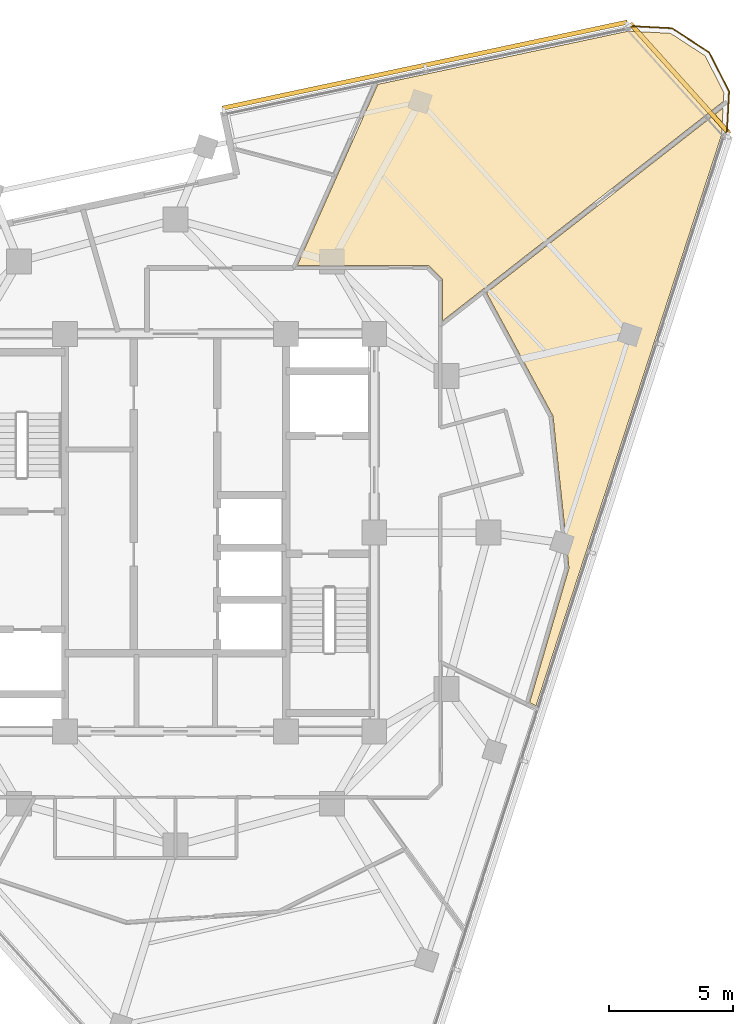
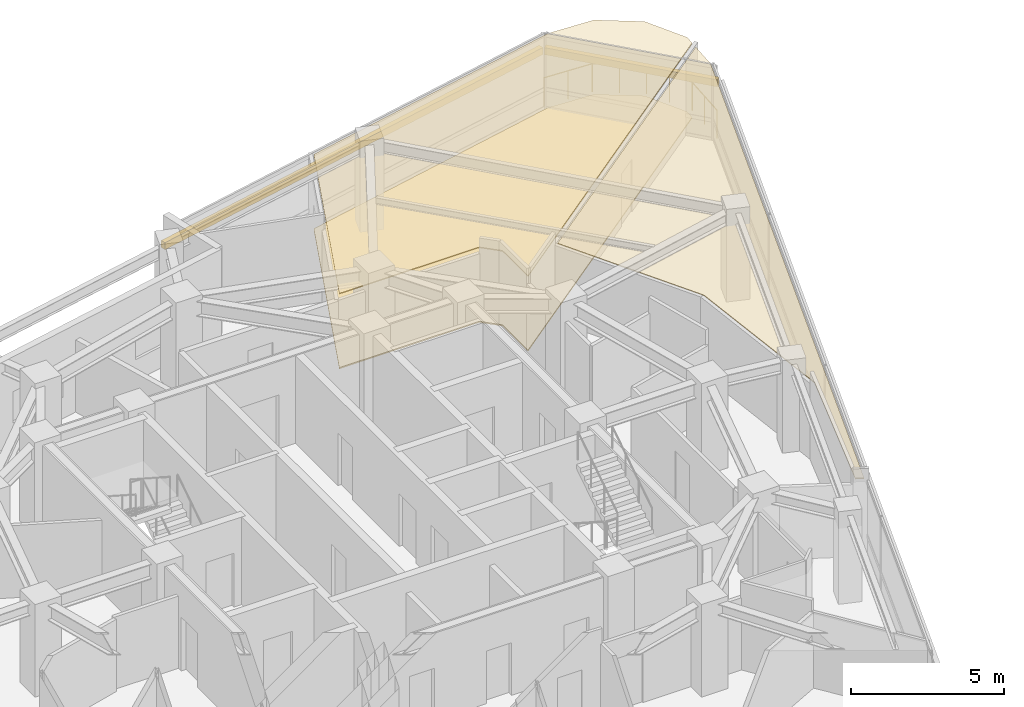
# One storey, part 15 of 15: 3 coverings, 2 shading devices, 1 railing.
"""IFC4 building model written with IfcOpenShell, lengths in metres."""

from ifc_helpers import new_model, si_unit, direction, frame, origin, origin_2d, place, context, subcontext, project, spatial, polyline, rectangle, circle, outline, extrude, material, layer, layer_set, type_object, element, save


model = new_model("IFC4")

# Units and contexts
model_context = context("Model", 3, precision=1e-05, world=origin(), true_north=direction((0.0, 1.0)))
body_context = subcontext(model_context, "Body", "Model", "MODEL_VIEW")
ifc_project = project(units=[si_unit("LENGTHUNIT", "METRE"), si_unit("AREAUNIT", "SQUARE_METRE"), si_unit("VOLUMEUNIT", "CUBIC_METRE"), si_unit("PLANEANGLEUNIT", "RADIAN"), si_unit("MASSUNIT", "GRAM", prefix="KILO")], contexts=[model_context])

# Site, building, storey
site_placement = place(None, origin())
site = spatial("IfcSite", under=ifc_project, at=site_placement, CompositionType="ELEMENT")
building_placement = place(site_placement, origin())
building = spatial("IfcBuilding", under=site, at=building_placement, Name="Terralouvre Media Tower", CompositionType="ELEMENT")
storey_placement = place(building_placement, frame((0.0, 0.0, 298.0)))
storey = spatial("IfcBuildingStorey", under=building, at=storey_placement, Name="L77", CompositionType="ELEMENT", Elevation=298.0)

# Coverings
ifc_material_1 = material(Name="Resilient elastomer acoustic broadcast studio flooring")
ifc_layer_1 = layer(ifc_material_1, 0.050048828125, Name="Broadcast Studio Acoustic Floating Floor FL-AC1")
ifc_layer_set_1 = layer_set([ifc_layer_1], Name="Resilient elastomer acoustic broadcast studio flooring")
covering_type_1 = type_object("IfcCoveringType", Name="Broadcast Studio Acoustic Floating Floor FL-AC1", PredefinedType="FLOORING", material=ifc_layer_set_1)
covering_1_placement = place(storey_placement, frame((0.0, 0.0, 0.0), z_axis=(0.0, 0.0, 1.0), x_axis=(0.309016994375, 0.951056516295, 0.0)))
element("IfcCovering", 1, at=covering_1_placement, inside=storey, type_object=covering_type_1, Name="L77 Staff Quiet Reading Club 7 Acoustic Floating Floor", PredefinedType="FLOORING", context=body_context, shape_type="SweptSolid", body=[
    extrude(outline(polyline([(19.6767578125, -2.168212890625), (15.631103515625, -1.743408203125), (11.73681640625, -1.33447265625), (13.3603515625, -6.331298828125), (13.363037109375, -6.3408203125), (13.364501953125, -6.350341796875), (13.365234375, -6.360107421875), (13.364990234375, -6.3701171875), (13.36376953125, -6.379638671875), (13.361572265625, -6.389404296875), (13.3583984375, -6.398681640625), (13.354248046875, -6.407470703125), (13.033447265625, -7.03759765625), (13.0283203125, -7.046142578125), (13.022705078125, -7.05419921875), (13.016357421875, -7.0615234375), (13.00927734375, -7.068359375), (13.00146484375, -7.07421875), (12.9931640625, -7.07958984375), (12.984375, -7.083740234375), (12.97509765625, -7.08740234375), (11.4306640625, -7.589111328125), (13.092041015625, -8.7099609375), (23.322021484375, -15.610595703125), (23.666015625, -15.51806640625), (24.841552734375, -14.342529296875), (25.272216796875, -12.73681640625), (24.834228515625, -11.10107421875), (19.6767578125, -2.168212890625)])), origin(), (0.0, 0.0, 1.0), 0.050048828125),
])
ifc_material_2 = material(Name="Perforated aluminium acoustic ceiling baffle", Category="aluminium")
ifc_layer_2 = layer(ifc_material_2, 0.0400390625, Name="Perforated Acoustic Metal Tile Ceiling CL-AC1")
ifc_layer_set_2 = layer_set([ifc_layer_2], Name="Perforated aluminium acoustic ceiling baffle")
covering_type_2 = type_object("IfcCoveringType", Name="Perforated Acoustic Metal Tile Ceiling CL-AC1", PredefinedType="CEILING", material=ifc_layer_set_2)
covering_2_placement = place(storey_placement, frame((0.0, 0.0, 2.97998046875), z_axis=(0.0, 0.0, 1.0), x_axis=(0.309016994375, 0.951056516295, 0.0)))
element("IfcCovering", 2, at=covering_2_placement, inside=storey, type_object=covering_type_2, Name="L77 Podcast Editing Creative Workshop 6 Acoustic Ceiling", PredefinedType="CEILING", context=body_context, shape_type="SweptSolid", body=[
    extrude(outline(polyline([(9.172119140625, -12.985107421875), (9.1650390625, -12.991943359375), (9.1572265625, -12.997802734375), (9.149169921875, -13.003173828125), (9.140380859375, -13.007568359375), (3.550048828125, -15.496826171875), (3.541015625, -15.50048828125), (3.531494140625, -15.503173828125), (3.52197265625, -15.504638671875), (3.51220703125, -15.505615234375), (-2.10107421875, -15.6689453125), (-2.1416015625, -15.956298828125), (22.031494140625, -15.95654296875), (23.066162109375, -15.67919921875), (13.05029296875, -8.923095703125), (9.172119140625, -12.985107421875)])), origin(), (0.0, 0.0, 1.0), 0.0400390625),
])
covering_3_placement = place(storey_placement, frame((0.0, 0.0, 2.97998046875), z_axis=(0.0, 0.0, 1.0), x_axis=(0.309016994375, 0.951056516295, 0.0)))
element("IfcCovering", 3, at=covering_3_placement, inside=storey, type_object=covering_type_2, Name="L77 Staff Quiet Reading Club 7 Acoustic Ceiling", PredefinedType="CEILING", context=body_context, shape_type="SweptSolid", body=[
    extrude(outline(polyline([(19.6767578125, -2.168212890625), (15.631103515625, -1.743408203125), (11.73681640625, -1.33447265625), (13.3603515625, -6.331298828125), (13.363037109375, -6.3408203125), (13.364501953125, -6.350341796875), (13.365234375, -6.360107421875), (13.364990234375, -6.3701171875), (13.36376953125, -6.379638671875), (13.361572265625, -6.389404296875), (13.3583984375, -6.398681640625), (13.354248046875, -6.407470703125), (13.033447265625, -7.03759765625), (13.0283203125, -7.046142578125), (13.022705078125, -7.05419921875), (13.016357421875, -7.0615234375), (13.00927734375, -7.068359375), (13.00146484375, -7.07421875), (12.9931640625, -7.07958984375), (12.984375, -7.083740234375), (12.97509765625, -7.08740234375), (11.4306640625, -7.589111328125), (13.092041015625, -8.7099609375), (23.322021484375, -15.610595703125), (23.666015625, -15.51806640625), (24.841552734375, -14.342529296875), (25.272216796875, -12.73681640625), (24.834228515625, -11.10107421875), (19.6767578125, -2.168212890625)])), origin(), (0.0, 0.0, 1.0), 0.0400390625),
])

# Railing
ifc_material_3 = material(Name="Stainless steel 316 handrail and balustrade", Category="steel")
ifc_layer_3 = layer(ifc_material_3, 0.06005859375, Name="Roof Edge Safety Guardrail GR-ROOF1")
ifc_layer_set_3 = layer_set([ifc_layer_3], Name="Stainless steel 316 handrail and balustrade")
railing_type = type_object("IfcRailingType", Name="Roof Edge Safety Guardrail GR-ROOF1", PredefinedType="GUARDRAIL", material=ifc_layer_set_3)
railing_placement = place(storey_placement, frame((22.189453125, 15.972900390625, 0.0)))
element("IfcRailing", 4, at=railing_placement, inside=storey, type_object=railing_type, Name="L77 Wind-Corner Perimeter Safety Guardrail C1", PredefinedType="GUARDRAIL", context=body_context, shape_type="SweptSolid", body=[
    extrude(circle(Radius=0.02099609375, at=origin_2d()), frame((0.0, 0.0, 1.12890625), z_axis=(0.052530038308, 0.998619344433, 0.0), x_axis=(-0.998619344433, 0.052530038308, 0.0)), (0.0, 0.0, 1.0), 1.780029296875),
    extrude(circle(Radius=0.02099609375, at=origin_2d()), frame((0.093505859375, 1.777587890625, 1.12890625), z_axis=(-0.453894958645, 0.891055198356, 0.0), x_axis=(-0.891055198356, -0.453894958645, 0.0)), (0.0, 0.0, 1.0), 1.77978515625),
    extrude(circle(Radius=0.02099609375, at=origin_2d()), frame((-0.71435546875, 3.363525390625, 1.12890625), z_axis=(-0.838763173907, 0.544496407791, 0.0), x_axis=(-0.544496407791, -0.838763173907, 0.0)), (0.0, 0.0, 1.0), 1.779541015625),
    extrude(circle(Radius=0.02099609375, at=origin_2d()), frame((-2.20703125, 4.33251953125, 1.12890625), z_axis=(-0.998641217395, 0.052112560095, 0.0), x_axis=(-0.052112560095, -0.998641217395, 0.0)), (0.0, 0.0, 1.0), 1.7802734375),
    extrude(circle(Radius=0.01904296875, at=origin_2d()), origin(), (0.0, 0.0, 1.0), 1.10791015625),
    extrude(circle(Radius=0.01904296875, at=origin_2d()), frame((0.046875, 0.888671875, 0.0)), (0.0, 0.0, 1.0), 1.10791015625),
    extrude(circle(Radius=0.01904296875, at=origin_2d()), frame((0.093505859375, 1.777587890625, 0.0)), (0.0, 0.0, 1.0), 1.10791015625),
    extrude(circle(Radius=0.01904296875, at=origin_2d()), frame((-0.310546875, 2.570556640625, 0.0)), (0.0, 0.0, 1.0), 1.10791015625),
    extrude(circle(Radius=0.01904296875, at=origin_2d()), frame((-0.71435546875, 3.363525390625, 0.0)), (0.0, 0.0, 1.0), 1.10791015625),
    extrude(circle(Radius=0.01904296875, at=origin_2d()), frame((-1.460693359375, 3.84814453125, 0.0)), (0.0, 0.0, 1.0), 1.10791015625),
    extrude(circle(Radius=0.01904296875, at=origin_2d()), frame((-2.20703125, 4.33251953125, 0.0)), (0.0, 0.0, 1.0), 1.10791015625),
    extrude(circle(Radius=0.01904296875, at=origin_2d()), frame((-3.095947265625, 4.37890625, 0.0)), (0.0, 0.0, 1.0), 1.10791015625),
    extrude(circle(Radius=0.01904296875, at=origin_2d()), frame((-3.98486328125, 4.42529296875, 0.0)), (0.0, 0.0, 1.0), 1.10791015625),
])

# Shading devices
ifc_material_4 = material(Name="Extruded terracotta baguette sunshade louvres", Category="masonry")
shading_device_type = type_object("IfcShadingDeviceType", Name="Terracotta Baguette Sunshade Louvre Screen TB-LV1", PredefinedType="USERDEFINED", material=ifc_material_4)
shading_device_1_placement = place(storey_placement, frame((10.03759765625, 18.814453125, 2.02392578125), z_axis=(0.0, 0.0, 1.0), x_axis=(-0.978147588229, -0.207911749648, 0.0)))
element("IfcShadingDevice", 5, at=shading_device_1_placement, inside=storey, type_object=shading_device_type, Name="CW-L77-F1L Terracotta Baguette Sunshade Louvre", ObjectType="BAGUETTE", PredefinedType="USERDEFINED", context=body_context, shape_type="SweptSolid", body=[
    extrude(rectangle(XDim=16.659912109375, YDim=0.179931640625, at=origin_2d()), origin(), (0.0, 0.0, 1.0), 0.280029296875),
])
shading_device_2_placement = place(storey_placement, frame((20.29736328125, 18.27587890625, 2.02392578125), z_axis=(0.0, 0.0, 1.0), x_axis=(-0.669130231192, 0.743145163279, 0.0)))
element("IfcShadingDevice", 6, at=shading_device_2_placement, inside=storey, type_object=shading_device_type, Name="CW-L77-C1 Terracotta Baguette Sunshade Louvre", ObjectType="BAGUETTE", PredefinedType="USERDEFINED", context=body_context, shape_type="SweptSolid", body=[
    extrude(rectangle(XDim=5.958251953125, YDim=0.179931640625, at=origin_2d()), origin(), (0.0, 0.0, 1.0), 0.280029296875),
])

save(model, "model.ifc")
